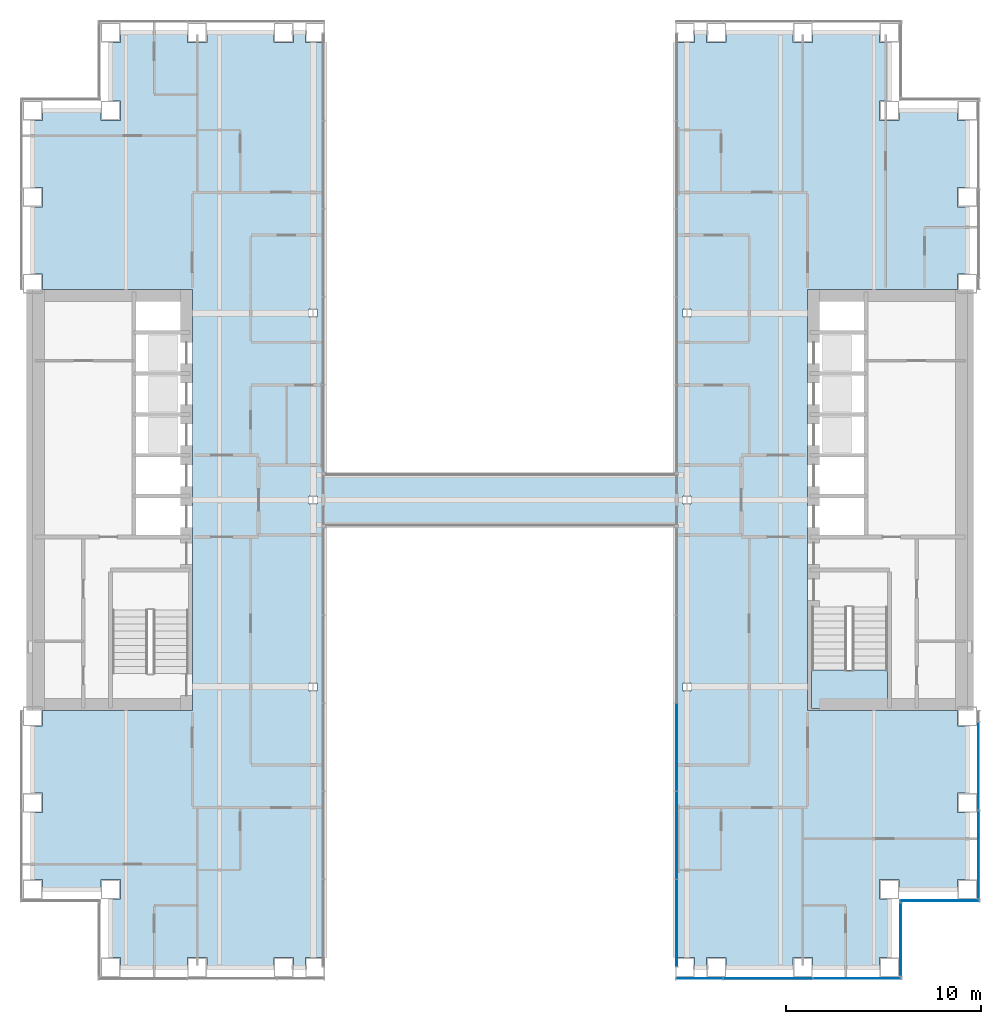
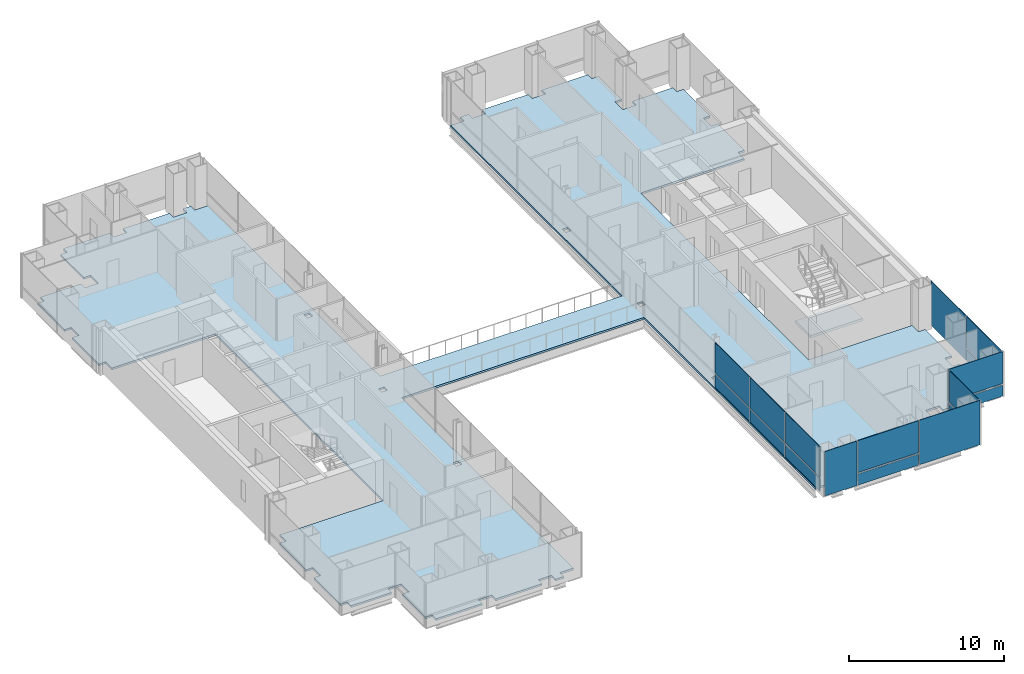
# One storey, part 9 of 18: 17 plates, 2 slabs, 6 elements without a shape of their own.
"""IFC4 building model written with IfcOpenShell, lengths in metres."""

from ifc_helpers import new_model, si_unit, direction, frame, origin, origin_2d, place, context, subcontext, project, spatial, polyline, rectangle, outline, extrude, material, layer, layer_set, type_object, element, aggregate, save


model = new_model("IFC4")

# Units and contexts
model_context = context("Model", 3, precision=1e-05, world=origin(), true_north=direction((0.0, 1.0)))
body_context = subcontext(model_context, "Body", "Model", "MODEL_VIEW")
ifc_project = project(units=[si_unit("LENGTHUNIT", "METRE"), si_unit("AREAUNIT", "SQUARE_METRE"), si_unit("VOLUMEUNIT", "CUBIC_METRE"), si_unit("PLANEANGLEUNIT", "RADIAN"), si_unit("MASSUNIT", "GRAM", prefix="KILO")], contexts=[model_context])

# Site, building, storey
site_placement = place(None, origin())
site = spatial("IfcSite", under=ifc_project, at=site_placement, CompositionType="ELEMENT")
building_placement = place(site_placement, origin())
building = spatial("IfcBuilding", under=site, at=building_placement, Name="Cobrizo Arcos Hotel Tower", CompositionType="ELEMENT")
storey_placement = place(building_placement, frame((0.0, 0.0, 77.5)))
storey = spatial("IfcBuildingStorey", under=building, at=storey_placement, Name="L18", CompositionType="ELEMENT", Elevation=77.5)

# Curtain wall, plate
ifc_material_1 = material(Name="Aluminium 6063-T6 anodised bronze", Category="aluminium")
curtain_wall_type_1 = type_object("IfcCurtainWallType", Name="CW-A guest facade", PredefinedType="NOTDEFINED", material=ifc_material_1)
curtain_wall_1_placement = place(storey_placement, origin())
curtain_wall_1 = element("IfcCurtainWall", 1, at=curtain_wall_1_placement, inside=storey, type_object=curtain_wall_type_1, Name="CW-A L18 S face", PredefinedType="NOTDEFINED")
ifc_material_2 = material(Name="Glass clear laminated low-e", Category="glass")
ifc_layer_1 = layer(ifc_material_2, 0.0400390625)
ifc_layer_set_1 = layer_set([ifc_layer_1], Name="CW-A glass panel")
plate_type_1 = type_object("IfcPlateType", Name="CW-A glass panel", PredefinedType="CURTAIN_PANEL", material=ifc_layer_set_1)
plate_1_placement = place(storey_placement, frame((13.7666015625, -24.574951171875, 0.990234375), z_axis=(0.0, 0.0, 1.0), x_axis=(1.0, 0.0, 0.0)))
plate_1 = element("IfcPlate", 2, at=plate_1_placement, type_object=plate_type_1, Name="CW-A glass panel 753", PredefinedType="CURTAIN_PANEL", context=body_context, shape_type="SweptSolid", body=[
    extrude(rectangle(XDim=4.52880859375, YDim=0.0400390625, at=origin_2d()), origin(), (0.0, 0.0, 1.0), 2.510009765625),
])

curtain_wall_2_placement = place(storey_placement, origin())
curtain_wall_2 = element("IfcCurtainWall", 3, at=curtain_wall_2_placement, inside=storey, type_object=curtain_wall_type_1, Name="CW-A L18 E face", PredefinedType="NOTDEFINED")
plate_2_placement = place(storey_placement, frame((20.574951171875, -22.574951171875, 0.990234375), z_axis=(0.0, 0.0, 1.0), x_axis=(0.0, 1.0, 0.0)))
plate_2 = element("IfcPlate", 4, at=plate_2_placement, type_object=plate_type_1, Name="CW-A glass panel 755", PredefinedType="CURTAIN_PANEL", context=body_context, shape_type="SweptSolid", body=[
    extrude(rectangle(XDim=3.72998046875, YDim=0.0400390625, at=origin_2d()), origin(), (0.0, 0.0, 1.0), 2.510009765625),
])

curtain_wall_3_placement = place(storey_placement, origin())
curtain_wall_3 = element("IfcCurtainWall", 5, at=curtain_wall_3_placement, inside=storey, type_object=curtain_wall_type_1, Name="CW-A L18 S face", PredefinedType="NOTDEFINED")
plate_3_placement = place(storey_placement, frame((22.574951171875, -20.574951171875, 0.990234375), z_axis=(0.0, 0.0, 1.0), x_axis=(1.0, 0.0, 0.0)))
plate_3 = element("IfcPlate", 6, at=plate_3_placement, type_object=plate_type_1, Name="CW-A glass panel 756", PredefinedType="CURTAIN_PANEL", context=body_context, shape_type="SweptSolid", body=[
    extrude(rectangle(XDim=4.030029296875, YDim=0.0400390625, at=origin_2d()), origin(), (0.0, 0.0, 1.0), 2.510009765625),
])

curtain_wall_4_placement = place(storey_placement, origin())
curtain_wall_4 = element("IfcCurtainWall", 7, at=curtain_wall_4_placement, inside=storey, type_object=curtain_wall_type_1, Name="CW-A L18 E face", PredefinedType="NOTDEFINED")
plate_4_placement = place(storey_placement, frame((24.574951171875, -18.207275390625, 0.990234375), z_axis=(0.0, 0.0, 1.0), x_axis=(0.0, 1.0, 0.0)))
plate_4 = element("IfcPlate", 8, at=plate_4_placement, type_object=plate_type_1, Name="CW-A glass panel 757", PredefinedType="CURTAIN_PANEL", context=body_context, shape_type="SweptSolid", body=[
    extrude(rectangle(XDim=4.465576171875, YDim=0.0400390625, at=origin_2d()), origin(), (0.0, 0.0, 1.0), 2.510009765625),
])

# Plate
ifc_material_3 = material(Name="Aluminium composite panel pale metal", Category="aluminium")
ifc_layer_2 = layer(ifc_material_3, 0.0400390625)
ifc_layer_set_2 = layer_set([ifc_layer_2], Name="CW-A spandrel panel")
plate_type_2 = type_object("IfcPlateType", Name="CW-A spandrel panel", PredefinedType="CURTAIN_PANEL", material=ifc_layer_set_2)
plate_5_placement = place(storey_placement, frame((10.251220703125, -24.574951171875, 0.0), z_axis=(0.0, 0.0, 1.0), x_axis=(1.0, 0.0, 0.0)))
plate_5 = element("IfcPlate", 9, at=plate_5_placement, type_object=plate_type_2, Name="CW-A spandrel panel 752", PredefinedType="CURTAIN_PANEL", context=body_context, shape_type="SweptSolid", body=[
    extrude(rectangle(XDim=2.38232421875, YDim=0.0400390625, at=origin_2d()), origin(), (0.0, 0.0, 1.0), 3.5),
])

plate_6_placement = place(storey_placement, frame((13.7666015625, -24.574951171875, 0.0), z_axis=(0.0, 0.0, 1.0), x_axis=(1.0, 0.0, 0.0)))
plate_6 = element("IfcPlate", 10, at=plate_6_placement, type_object=plate_type_2, Name="CW-A spandrel panel 753", PredefinedType="CURTAIN_PANEL", context=body_context, shape_type="SweptSolid", body=[
    extrude(rectangle(XDim=4.52880859375, YDim=0.0400390625, at=origin_2d()), origin(), (0.0, 0.0, 1.0), 0.8701171875),
])

plate_7_placement = place(storey_placement, frame((18.340576171875, -24.574951171875, 0.0), z_axis=(0.0, 0.0, 1.0), x_axis=(1.0, 0.0, 0.0)))
plate_7 = element("IfcPlate", 11, at=plate_7_placement, type_object=plate_type_2, Name="CW-A spandrel panel 754", PredefinedType="CURTAIN_PANEL", context=body_context, shape_type="SweptSolid", body=[
    extrude(rectangle(XDim=4.498779296875, YDim=0.0400390625, at=origin_2d()), origin(), (0.0, 0.0, 1.0), 3.5),
])

aggregate(curtain_wall_1, [plate_5, plate_6, plate_1, plate_7])

plate_8_placement = place(storey_placement, frame((20.574951171875, -22.574951171875, 0.0), z_axis=(0.0, 0.0, 1.0), x_axis=(0.0, 1.0, 0.0)))
plate_8 = element("IfcPlate", 12, at=plate_8_placement, type_object=plate_type_2, Name="CW-A spandrel panel 755", PredefinedType="CURTAIN_PANEL", context=body_context, shape_type="SweptSolid", body=[
    extrude(rectangle(XDim=3.72998046875, YDim=0.0400390625, at=origin_2d()), origin(), (0.0, 0.0, 1.0), 0.8701171875),
])

aggregate(curtain_wall_2, [plate_8, plate_2])

plate_9_placement = place(storey_placement, frame((22.574951171875, -20.574951171875, 0.0), z_axis=(0.0, 0.0, 1.0), x_axis=(1.0, 0.0, 0.0)))
plate_9 = element("IfcPlate", 13, at=plate_9_placement, type_object=plate_type_2, Name="CW-A spandrel panel 756", PredefinedType="CURTAIN_PANEL", context=body_context, shape_type="SweptSolid", body=[
    extrude(rectangle(XDim=4.030029296875, YDim=0.0400390625, at=origin_2d()), origin(), (0.0, 0.0, 1.0), 0.8701171875),
])

aggregate(curtain_wall_3, [plate_9, plate_3])

plate_10_placement = place(storey_placement, frame((24.574951171875, -18.207275390625, 0.0), z_axis=(0.0, 0.0, 1.0), x_axis=(0.0, 1.0, 0.0)))
plate_10 = element("IfcPlate", 14, at=plate_10_placement, type_object=plate_type_2, Name="CW-A spandrel panel 757", PredefinedType="CURTAIN_PANEL", context=body_context, shape_type="SweptSolid", body=[
    extrude(rectangle(XDim=4.465576171875, YDim=0.0400390625, at=origin_2d()), origin(), (0.0, 0.0, 1.0), 0.8701171875),
])

plate_11_placement = place(storey_placement, frame((24.574951171875, -13.666748046875, 0.0), z_axis=(0.0, 0.0, 1.0), x_axis=(0.0, 1.0, 0.0)))
plate_11 = element("IfcPlate", 15, at=plate_11_placement, type_object=plate_type_2, Name="CW-A spandrel panel 758", PredefinedType="CURTAIN_PANEL", context=body_context, shape_type="SweptSolid", body=[
    extrude(rectangle(XDim=4.49560546875, YDim=0.0400390625, at=origin_2d()), origin(), (0.0, 0.0, 1.0), 3.5),
])

aggregate(curtain_wall_4, [plate_10, plate_4, plate_11])

# Curtain wall, plates
curtain_wall_type_2 = type_object("IfcCurtainWallType", Name="CW-F void screen", PredefinedType="NOTDEFINED", material=ifc_material_1)
curtain_wall_5_placement = place(storey_placement, origin())
curtain_wall_5 = element("IfcCurtainWall", 16, at=curtain_wall_5_placement, inside=storey, type_object=curtain_wall_type_2, Name="CW-F L18 void screen A", PredefinedType="NOTDEFINED")
ifc_layer_3 = layer(ifc_material_2, 0.0400390625)
ifc_layer_set_3 = layer_set([ifc_layer_3], Name="CW-F glass panel")
plate_type_3 = type_object("IfcPlateType", Name="CW-F glass panel", PredefinedType="CURTAIN_PANEL", material=ifc_layer_set_3)
plate_12_placement = place(storey_placement, frame((9.074951171875, -21.72509765625, 0.0), z_axis=(0.0, 0.0, 1.0), x_axis=(0.0, 1.0, 0.0)))
plate_12 = element("IfcPlate", 17, at=plate_12_placement, type_object=plate_type_3, Name="CW-F glass panel 2528", PredefinedType="CURTAIN_PANEL", context=body_context, shape_type="SweptSolid", body=[
    extrude(rectangle(XDim=4.429931640625, YDim=0.0400390625, at=origin_2d()), origin(), (0.0, 0.0, 1.0), 0.989990234375),
])
plate_13_placement = place(storey_placement, frame((9.074951171875, -21.72509765625, 1.10986328125), z_axis=(0.0, 0.0, 1.0), x_axis=(0.0, 1.0, 0.0)))
plate_13 = element("IfcPlate", 18, at=plate_13_placement, type_object=plate_type_3, Name="CW-F glass panel 2528", PredefinedType="CURTAIN_PANEL", context=body_context, shape_type="SweptSolid", body=[
    extrude(rectangle(XDim=4.429931640625, YDim=0.0400390625, at=origin_2d()), origin(), (0.0, 0.0, 1.0), 2.389892578125),
])
plate_14_placement = place(storey_placement, frame((9.074951171875, -17.219970703125, 0.0), z_axis=(0.0, 0.0, 1.0), x_axis=(0.0, 1.0, 0.0)))
plate_14 = element("IfcPlate", 19, at=plate_14_placement, type_object=plate_type_3, Name="CW-F glass panel 2529", PredefinedType="CURTAIN_PANEL", context=body_context, shape_type="SweptSolid", body=[
    extrude(rectangle(XDim=4.4599609375, YDim=0.0400390625, at=origin_2d()), origin(), (0.0, 0.0, 1.0), 0.989990234375),
])
plate_15_placement = place(storey_placement, frame((9.074951171875, -17.219970703125, 1.10986328125), z_axis=(0.0, 0.0, 1.0), x_axis=(0.0, 1.0, 0.0)))
plate_15 = element("IfcPlate", 20, at=plate_15_placement, type_object=plate_type_3, Name="CW-F glass panel 2529", PredefinedType="CURTAIN_PANEL", context=body_context, shape_type="SweptSolid", body=[
    extrude(rectangle(XDim=4.4599609375, YDim=0.0400390625, at=origin_2d()), origin(), (0.0, 0.0, 1.0), 2.389892578125),
])
plate_16_placement = place(storey_placement, frame((9.074951171875, -12.699951171875, 0.0), z_axis=(0.0, 0.0, 1.0), x_axis=(0.0, 1.0, 0.0)))
plate_16 = element("IfcPlate", 21, at=plate_16_placement, type_object=plate_type_3, Name="CW-F glass panel 2530", PredefinedType="CURTAIN_PANEL", context=body_context, shape_type="SweptSolid", body=[
    extrude(rectangle(XDim=4.4599609375, YDim=0.0400390625, at=origin_2d()), origin(), (0.0, 0.0, 1.0), 0.989990234375),
])
plate_17_placement = place(storey_placement, frame((9.074951171875, -12.699951171875, 1.10986328125), z_axis=(0.0, 0.0, 1.0), x_axis=(0.0, 1.0, 0.0)))
plate_17 = element("IfcPlate", 22, at=plate_17_placement, type_object=plate_type_3, Name="CW-F glass panel 2530", PredefinedType="CURTAIN_PANEL", context=body_context, shape_type="SweptSolid", body=[
    extrude(rectangle(XDim=4.4599609375, YDim=0.0400390625, at=origin_2d()), origin(), (0.0, 0.0, 1.0), 2.389892578125),
])
aggregate(curtain_wall_5, [plate_12, plate_13, plate_14, plate_15, plate_16, plate_17])

# Slab
ifc_material_4 = material(Name="Concrete f'c 35 MPa", Category="concrete")
ifc_layer_4 = layer(ifc_material_4, 0.14990234375)
ifc_layer_set_4 = layer_set([ifc_layer_4], Name="Composite floor slab 150 f'c 35")
slab_type_1 = type_object("IfcSlabType", Name="Composite floor slab 150 f'c 35", PredefinedType="FLOOR", material=ifc_layer_set_4)
slab_1_placement = place(storey_placement, frame((0.0, 0.0, -0.14990234375)))
element("IfcSlab", 23, at=slab_1_placement, inside=storey, type_object=slab_type_1, Name="Floor slab S5, L18, no. 01", PredefinedType="FLOOR", context=body_context, shape_type="SweptSolid", body=[
    extrude(outline(polyline([(23.5, 20.0), (23.5, 19.5), (24.0, 19.5), (24.0, 16.055908203125), (23.5, 16.055908203125), (23.5, 15.055908203125), (24.0, 15.055908203125), (24.0, 11.611083984375), (23.5, 11.611083984375), (23.5, 10.800048828125), (15.800048828125, 10.800048828125), (15.800048828125, -10.800048828125), (23.5, -10.800048828125), (23.5, -11.611083984375), (24.0, -11.611083984375), (24.0, -15.055908203125), (23.5, -15.055908203125), (23.5, -16.055908203125), (24.0, -16.055908203125), (24.0, -19.5), (23.5, -19.5), (23.5, -20.0), (20.5, -20.0), (20.5, -19.5), (19.5, -19.5), (19.5, -20.5), (20.0, -20.5), (20.0, -23.5), (19.5, -23.5), (19.5, -24.0), (16.055908203125, -24.0), (16.055908203125, -23.5), (15.055908203125, -23.5), (15.055908203125, -24.0), (11.611083984375, -24.0), (11.611083984375, -23.5), (10.611083984375, -23.5), (10.611083984375, -24.0), (10.0, -24.0), (10.0, -23.5), (9.0, -23.5), (9.0, -1.39990234375), (-9.0, -1.39990234375), (-9.0, -23.5), (-10.0, -23.5), (-10.0, -24.0), (-10.611083984375, -24.0), (-10.611083984375, -23.5), (-11.611083984375, -23.5), (-11.611083984375, -24.0), (-15.055908203125, -24.0), (-15.055908203125, -23.5), (-16.055908203125, -23.5), (-16.055908203125, -24.0), (-19.5, -24.0), (-19.5, -23.5), (-20.0, -23.5), (-20.0, -20.5), (-19.5, -20.5), (-19.5, -19.5), (-20.5, -19.5), (-20.5, -20.0), (-23.5, -20.0), (-23.5, -19.5), (-24.0, -19.5), (-24.0, -16.055908203125), (-23.5, -16.055908203125), (-23.5, -15.055908203125), (-24.0, -15.055908203125), (-24.0, -11.611083984375), (-23.5, -11.611083984375), (-23.5, -10.800048828125), (-15.800048828125, -10.800048828125), (-15.800048828125, 10.800048828125), (-23.5, 10.800048828125), (-23.5, 11.611083984375), (-24.0, 11.611083984375), (-24.0, 15.055908203125), (-23.5, 15.055908203125), (-23.5, 16.055908203125), (-24.0, 16.055908203125), (-24.0, 19.5), (-23.5, 19.5), (-23.5, 20.0), (-20.5, 20.0), (-20.5, 19.5), (-19.5, 19.5), (-19.5, 20.5), (-20.0, 20.5), (-20.0, 23.5), (-19.5, 23.5), (-19.5, 24.0), (-16.055908203125, 24.0), (-16.055908203125, 23.5), (-15.055908203125, 23.5), (-15.055908203125, 24.0), (-11.611083984375, 24.0), (-11.611083984375, 23.5), (-10.611083984375, 23.5), (-10.611083984375, 24.0), (-10.0, 24.0), (-10.0, 23.5), (-9.0, 23.5), (-9.0, 1.39990234375), (9.0, 1.39990234375), (9.0, 23.5), (10.0, 23.5), (10.0, 24.0), (10.611083984375, 24.0), (10.611083984375, 23.5), (11.611083984375, 23.5), (11.611083984375, 24.0), (15.055908203125, 24.0), (15.055908203125, 23.5), (16.055908203125, 23.5), (16.055908203125, 24.0), (19.5, 24.0), (19.5, 23.5), (20.0, 23.5), (20.0, 20.5), (19.5, 20.5), (19.5, 19.5), (20.5, 19.5), (20.5, 20.0), (23.5, 20.0)]), holes=[polyline([(-9.804443359375, -9.804443359375), (-9.3955078125, -9.804443359375), (-9.3955078125, -9.3955078125), (-9.804443359375, -9.3955078125), (-9.804443359375, -9.804443359375)]), polyline([(-9.3955078125, -0.204345703125), (-9.3955078125, 0.204345703125), (-9.804443359375, 0.204345703125), (-9.804443359375, -0.204345703125), (-9.3955078125, -0.204345703125)]), polyline([(-9.3955078125, 9.3955078125), (-9.3955078125, 9.804443359375), (-9.804443359375, 9.804443359375), (-9.804443359375, 9.3955078125), (-9.3955078125, 9.3955078125)]), polyline([(9.3955078125, -9.804443359375), (9.804443359375, -9.804443359375), (9.804443359375, -9.3955078125), (9.3955078125, -9.3955078125), (9.3955078125, -9.804443359375)]), polyline([(9.3955078125, -0.204345703125), (9.804443359375, -0.204345703125), (9.804443359375, 0.204345703125), (9.3955078125, 0.204345703125), (9.3955078125, -0.204345703125)]), polyline([(9.804443359375, 9.3955078125), (9.804443359375, 9.804443359375), (9.3955078125, 9.804443359375), (9.3955078125, 9.3955078125), (9.804443359375, 9.3955078125)])]), origin(), (0.0, 0.0, 1.0), 0.14990234375),
])

# Stair, slab
ifc_material_5 = material(Name="Concrete f'c 40 MPa", Category="concrete")
stair_type = type_object("IfcStairType", Name="Exit stair", PredefinedType="HALF_TURN_STAIR", material=ifc_material_5)
stair_placement = place(storey_placement, origin())
stair = element("IfcStair", 24, at=stair_placement, inside=storey, type_object=stair_type, Name="L18 Exit stair ST-E", PredefinedType="HALF_TURN_STAIR")
ifc_layer_5 = layer(ifc_material_5, 0.199951171875)
ifc_layer_set_5 = layer_set([ifc_layer_5], Name="Stair landing")
slab_type_2 = type_object("IfcSlabType", Name="Stair landing", PredefinedType="LANDING", material=ifc_layer_set_5)
slab_2_placement = place(storey_placement, frame((0.0, 0.0, 1.550048828125)))
slab_2 = element("IfcSlab", 25, at=slab_2_placement, type_object=slab_type_2, Name="ST-E landing 1", PredefinedType="LANDING", context=body_context, shape_type="SweptSolid", body=[
    extrude(outline(polyline([(16.0, -8.739990234375), (16.0, -10.699951171875), (19.89990234375, -10.699951171875), (19.89990234375, -8.739990234375), (16.0, -8.739990234375)])), origin(), (0.0, 0.0, 1.0), 0.199951171875),
])
aggregate(stair, [slab_2])

save(model, "model.ifc")
